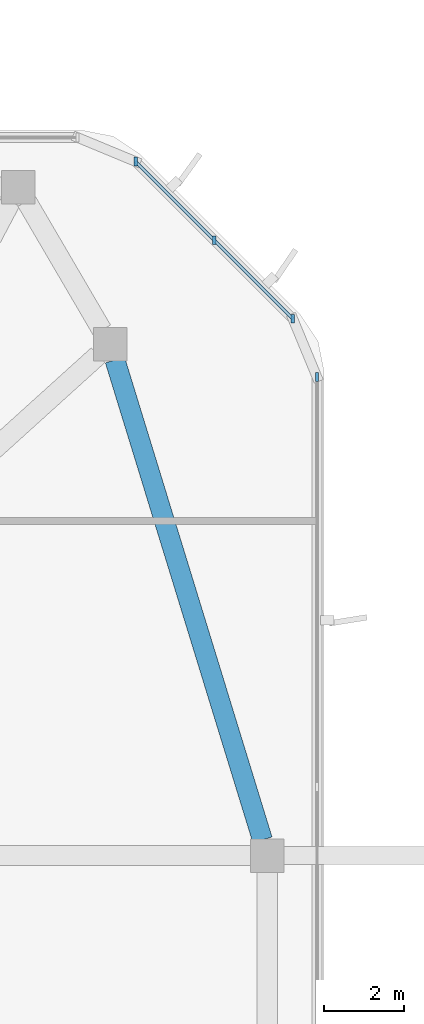
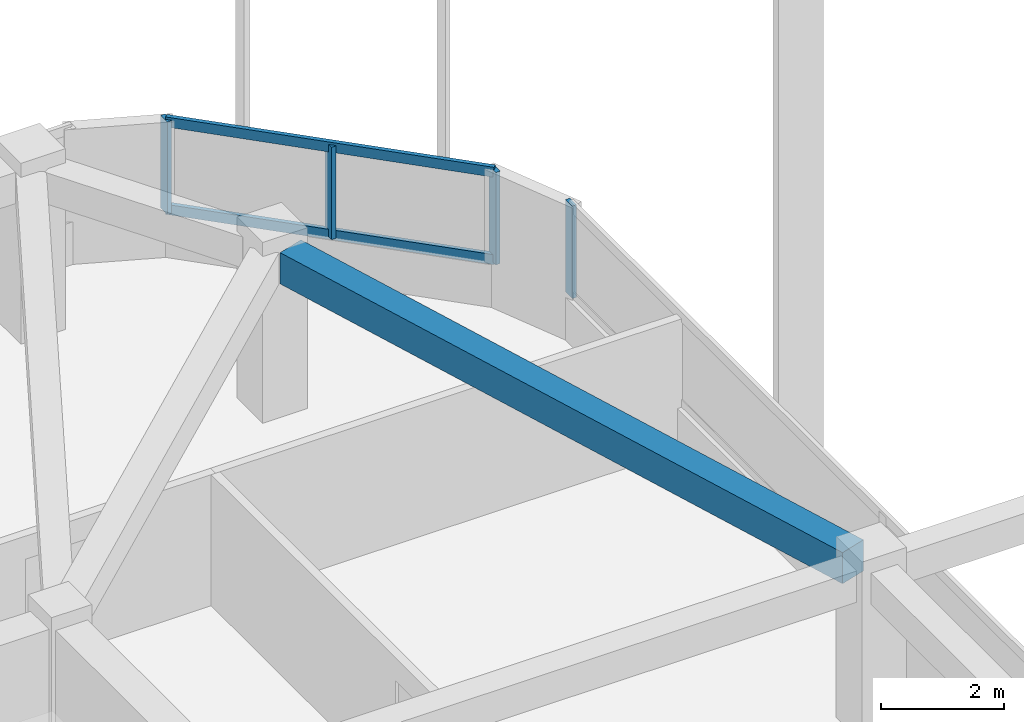
# One storey, part 5 of 12: 6 members, 1 beam, 2 elements without a shape of their own.
"""IFC4 building model written with IfcOpenShell, lengths in metres."""

from ifc_helpers import new_model, si_unit, derived_unit, direction, frame, origin, origin_2d, place, context, subcontext, project, spatial, rectangle, extrude, material, material_profile, profile_set, type_object, element, aggregate, save


model = new_model("IFC4")

# Units and contexts
model_context = context("Model", 3, precision=1e-05, world=origin(), true_north=direction((0.0, 1.0)))
body_context = subcontext(model_context, "Body", "Model", "MODEL_VIEW")
ifc_project = project(units=[si_unit("LENGTHUNIT", "METRE"), si_unit("AREAUNIT", "SQUARE_METRE"), si_unit("VOLUMEUNIT", "CUBIC_METRE"), si_unit("PLANEANGLEUNIT", "RADIAN"), si_unit("MASSUNIT", "GRAM", prefix="KILO"), derived_unit("THERMALTRANSMITTANCEUNIT", [(si_unit("POWERUNIT", "WATT"), 1), (si_unit("LENGTHUNIT", "METRE"), -2), (si_unit("THERMODYNAMICTEMPERATUREUNIT", "KELVIN"), -1)])], contexts=[model_context])

# Site, building, storey
site_placement = place(None, origin())
site = spatial("IfcSite", under=ifc_project, at=site_placement, CompositionType="ELEMENT")
building_placement = place(site_placement, origin())
building = spatial("IfcBuilding", under=site, at=building_placement, Name="Koralith Skygarden Medical Center", CompositionType="ELEMENT")
storey_placement = place(building_placement, frame((0.0, 0.0, 268.02001953125)))
storey = spatial("IfcBuildingStorey", under=building, at=storey_placement, Name="L69", CompositionType="ELEMENT", Elevation=268.02001953125)

# Curtain wall, member
ifc_material_1 = material(Name="Clear Laminated Glass", Category="glass")
curtain_wall_type = type_object("IfcCurtainWallType", Name="CW-6 Zone 5 Upper Clinical Curtain Wall", PredefinedType="NOTDEFINED", material=ifc_material_1)
curtain_wall_1_placement = place(storey_placement, origin())
curtain_wall_1 = element("IfcCurtainWall", 1, at=curtain_wall_1_placement, inside=storey, type_object=curtain_wall_type, Name="Curtain Wall CW-L69-E", PredefinedType="NOTDEFINED")
ifc_material_2 = material(Name="Aluminium 6063-T6", Category="aluminium")
ifc_material_profile_1 = material_profile(ifc_material_2, rectangle(XDim=0.0830078125, YDim=0.219970703125, at=origin_2d()), Name="MUL83X220")
ifc_profile_set_1 = profile_set([ifc_material_profile_1], Name="Aluminium 6063-T6")
member_type_1 = type_object("IfcMemberType", Name="CW-6 Extruded Mullion 83x220", PredefinedType="MULLION", material=ifc_profile_set_1)
member_1_placement = place(storey_placement, frame((61.719970703125, 41.2451171875, 0.85009765625), z_axis=(0.0, 0.0, 1.0), x_axis=(1.0, 0.0, 0.0)))
member_1 = element("IfcMember", 2, at=member_1_placement, type_object=member_type_1, Name="CW-L69-E Mullion 4", PredefinedType="MULLION", context=body_context, shape_type="SweptSolid", body=[
    extrude(rectangle(XDim=0.0830078125, YDim=0.219970703125, at=origin_2d()), origin(), (0.0, 0.0, 1.0), 1.83984375),
])
aggregate(curtain_wall_1, [member_1])

# Curtain wall, members
curtain_wall_2_placement = place(storey_placement, origin())
curtain_wall_2 = element("IfcCurtainWall", 3, at=curtain_wall_2_placement, inside=storey, type_object=curtain_wall_type, Name="Curtain Wall CW-L69-NE", PredefinedType="NOTDEFINED")
member_2_placement = place(storey_placement, frame((61.118896484375, 42.696044921875, 0.85009765625), z_axis=(0.0, 0.0, 1.0), x_axis=(1.0, 0.0, 0.0)))
member_2 = element("IfcMember", 4, at=member_2_placement, type_object=member_type_1, Name="CW-L69-NE Mullion 1", PredefinedType="MULLION", context=body_context, shape_type="SweptSolid", body=[
    extrude(rectangle(XDim=0.0830078125, YDim=0.219970703125, at=origin_2d()), origin(), (0.0, 0.0, 1.0), 1.83984375),
])
member_3_placement = place(storey_placement, frame((59.156982421875, 44.656982421875, 0.85009765625), z_axis=(0.0, 0.0, 1.0), x_axis=(1.0, 0.0, 0.0)))
member_3 = element("IfcMember", 5, at=member_3_placement, type_object=member_type_1, Name="CW-L69-NE Mullion 2", PredefinedType="MULLION", context=body_context, shape_type="SweptSolid", body=[
    extrude(rectangle(XDim=0.0830078125, YDim=0.219970703125, at=origin_2d()), origin(), (0.0, 0.0, 1.0), 1.83984375),
])
member_4_placement = place(storey_placement, frame((57.196044921875, 46.618896484375, 0.85009765625), z_axis=(0.0, 0.0, 1.0), x_axis=(1.0, 0.0, 0.0)))
member_4 = element("IfcMember", 6, at=member_4_placement, type_object=member_type_1, Name="CW-L69-NE Mullion 3", PredefinedType="MULLION", context=body_context, shape_type="SweptSolid", body=[
    extrude(rectangle(XDim=0.0830078125, YDim=0.219970703125, at=origin_2d()), origin(), (0.0, 0.0, 1.0), 1.83984375),
])
ifc_material_profile_2 = material_profile(ifc_material_2, rectangle(XDim=0.077880859375, YDim=0.197998046875, at=origin_2d()), Name="TRN78X198")
ifc_profile_set_2 = profile_set([ifc_material_profile_2], Name="Aluminium 6063-T6")
member_type_2 = type_object("IfcMemberType", Name="CW-6 Thermal Transom 78x198", PredefinedType="USERDEFINED", material=ifc_profile_set_2)
member_5_placement = place(storey_placement, frame((61.118896484375, 42.696044921875, 0.89990234375), z_axis=(-0.707106781187, 0.707106781187, 0.0), x_axis=(-0.707106781187, -0.707106781187, 0.0)))
member_5 = element("IfcMember", 7, at=member_5_placement, type_object=member_type_2, Name="CW-L69-NE Transom 1", ObjectType="TRANSOM", PredefinedType="USERDEFINED", context=body_context, shape_type="SweptSolid", body=[
    extrude(rectangle(XDim=0.077880859375, YDim=0.197998046875, at=origin_2d()), origin(), (0.0, 0.0, 1.0), 5.5478515625),
])
member_6_placement = place(storey_placement, frame((61.118896484375, 42.696044921875, 2.639892578125), z_axis=(-0.707106781187, 0.707106781187, 0.0), x_axis=(-0.707106781187, -0.707106781187, 0.0)))
member_6 = element("IfcMember", 8, at=member_6_placement, type_object=member_type_2, Name="CW-L69-NE Transom 2", ObjectType="TRANSOM", PredefinedType="USERDEFINED", context=body_context, shape_type="SweptSolid", body=[
    extrude(rectangle(XDim=0.077880859375, YDim=0.197998046875, at=origin_2d()), origin(), (0.0, 0.0, 1.0), 5.5478515625),
])
aggregate(curtain_wall_2, [member_2, member_3, member_4, member_5, member_6])

# Beam
ifc_material_3 = material(Name="Concrete C45/55", Category="concrete")
ifc_material_profile_3 = material_profile(ifc_material_3, rectangle(XDim=0.5, YDim=0.6201171875, at=origin_2d()), Name="RCB500X620")
ifc_profile_set_3 = profile_set([ifc_material_profile_3], Name="Concrete C45/55")
beam_type = type_object("IfcBeamType", Name="Zone 4-5 Spandrel Beam RCB500X620", PredefinedType="SPANDREL", material=ifc_profile_set_3)
beam_placement = place(storey_placement, frame((60.360107421875, 29.69189453125, 3.010009765625), z_axis=(-0.293738023424, 0.955885962652, 0.0), x_axis=(-0.955885962652, -0.293738023424, 0.0)))
element("IfcBeam", 9, at=beam_placement, inside=storey, type_object=beam_type, Name="L69 Perimeter Spandrel Beam SP-09", PredefinedType="SPANDREL", context=body_context, shape_type="SweptSolid", body=[
    extrude(rectangle(XDim=0.5, YDim=0.6201171875, at=origin_2d()), origin(), (0.0, 0.0, 1.0), 12.52880859375),
])

save(model, "model.ifc")
